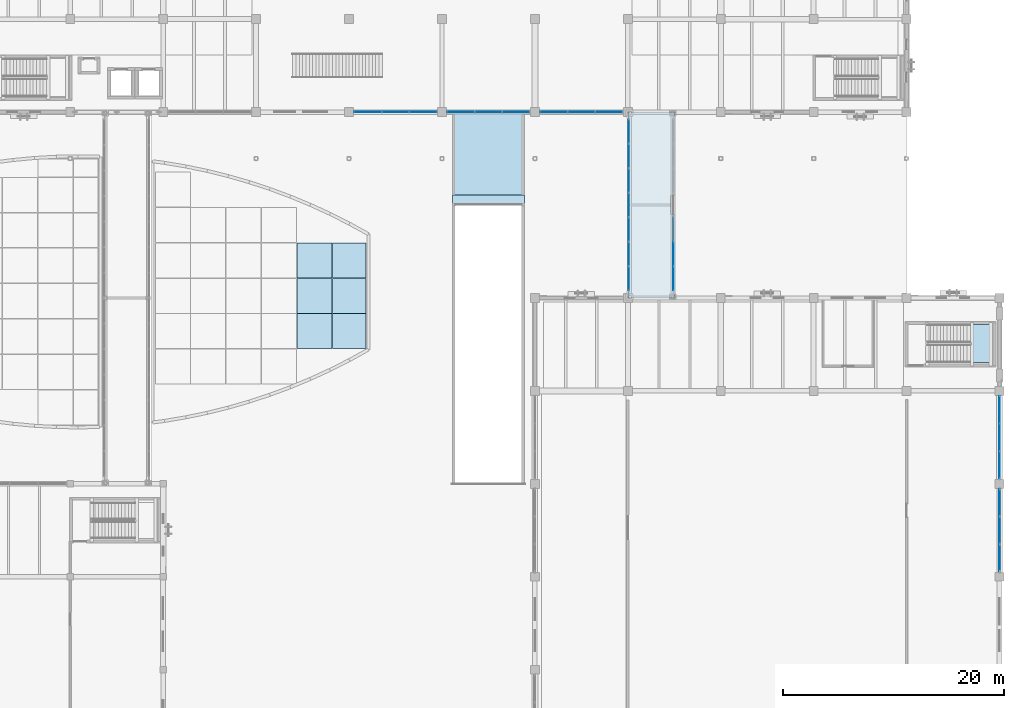
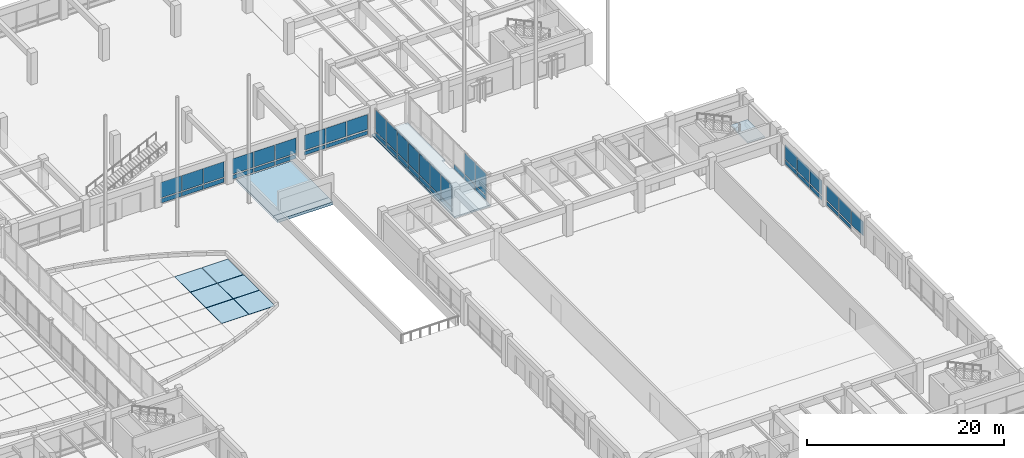
# One storey, part 70 of 135: 54 plates, 4 slabs, 8 elements without a shape of their own.
"""IFC4 building model written with IfcOpenShell, lengths in metres."""

from ifc_helpers import new_model, si_unit, direction, frame, origin, origin_2d, place, context, subcontext, project, spatial, polyline, rectangle, outline, extrude, material, layer, layer_set, type_object, element, aggregate, save


model = new_model("IFC4")

# Units and contexts
model_context = context("Model", 3, precision=1e-05, world=origin(), true_north=direction((0.0, 1.0)))
body_context = subcontext(model_context, "Body", "Model", "MODEL_VIEW")
ifc_project = project(units=[si_unit("LENGTHUNIT", "METRE"), si_unit("AREAUNIT", "SQUARE_METRE"), si_unit("VOLUMEUNIT", "CUBIC_METRE"), si_unit("PLANEANGLEUNIT", "RADIAN"), si_unit("MASSUNIT", "GRAM", prefix="KILO")], contexts=[model_context])

# Site, building, storey
site_placement = place(None, origin())
site = spatial("IfcSite", under=ifc_project, at=site_placement, CompositionType="ELEMENT")
building_placement = place(site_placement, origin())
building = spatial("IfcBuilding", under=site, at=building_placement, Name="Cumbredor Promenade Congress Hotel", CompositionType="ELEMENT")
storey_placement = place(building_placement, origin())
storey = spatial("IfcBuildingStorey", under=building, at=storey_placement, Name="L00", CompositionType="ELEMENT", Elevation=0.0)

# Stair, slab
ifc_material_1 = material(Name="Concrete C40/50", Category="concrete")
stair_type = type_object("IfcStairType", Name="Protected Dog-Leg Exit Stair ST-T3 1650mm", PredefinedType="HALF_TURN_STAIR", material=ifc_material_1)
stair_placement = place(storey_placement, origin())
stair = element("IfcStair", 1, at=stair_placement, inside=storey, type_object=stair_type, Name="L00 Protected Exit Stair ST-10", PredefinedType="HALF_TURN_STAIR")
ifc_layer_1 = layer(ifc_material_1, 0.199951171875, Name="Concrete C40/50", Category="concrete")
ifc_layer_set_1 = layer_set([ifc_layer_1], Name="Concrete C40/50")
slab_type_1 = type_object("IfcSlabType", Name="Concrete Stair Landing Slab 200mm", PredefinedType="LANDING", material=ifc_layer_set_1)
slab_1_placement = place(storey_placement, frame((0.0, 0.0, 1.760009765625)))
slab_1 = element("IfcSlab", 2, at=slab_1_placement, type_object=slab_type_1, Name="ST-10 landing 1", PredefinedType="LANDING", context=body_context, shape_type="SweptSolid", body=[
    extrude(outline(polyline([(182.14990234375, 61.35009765625), (184.14990234375, 61.35009765625), (184.14990234375, 64.800048828125), (182.14990234375, 64.800048828125), (182.14990234375, 61.35009765625)])), origin(), (0.0, 0.0, 1.0), 0.199951171875),
])
aggregate(stair, [slab_1])

# Curtain wall, plates
ifc_material_2 = material(Name="Thermally broken anodized aluminium and low-E glass", Category="aluminium")
curtain_wall_type_1 = type_object("IfcCurtainWallType", Name="Unitised Bridge Glazing Screen CW-05", PredefinedType="NOTDEFINED", material=ifc_material_2)
curtain_wall_1_placement = place(storey_placement, origin())
curtain_wall_1 = element("IfcCurtainWall", 3, at=curtain_wall_1_placement, inside=storey, type_object=curtain_wall_type_1, Name="L00 East Ballroom-to-Forum Glazed Bridge West Glazing Screen", PredefinedType="NOTDEFINED")
ifc_material_3 = material(Name="Laminated low-E solar-control glass", Category="glass")
ifc_layer_2 = layer(ifc_material_3, 0.030029296875, Name="Laminated low-E solar-control glass", Category="glass")
ifc_layer_set_2 = layer_set([ifc_layer_2], Name="Laminated low-E solar-control glass")
plate_type_1 = type_object("IfcPlateType", Name="Glazed Bridge Panel PNL-04", PredefinedType="CURTAIN_PANEL", material=ifc_layer_set_2)
plate_1_placement = place(storey_placement, frame((151.280029296875, 68.9658203125, 0.78515625), z_axis=(0.0, 0.0, 1.0), x_axis=(0.0, 1.0, 0.0)))
plate_1 = element("IfcPlate", 4, at=plate_1_placement, type_object=plate_type_1, Name="L00 East Ballroom-to-Forum Glazed Bridge West Glazing Screen Glazing Panel 1.2", PredefinedType="CURTAIN_PANEL", context=body_context, shape_type="SweptSolid", body=[
    extrude(rectangle(XDim=2.146484375, YDim=0.030029296875, at=origin_2d()), origin(), (0.0, 0.0, 1.0), 2.6298828125),
])
plate_2_placement = place(storey_placement, frame((151.280029296875, 71.177001953125, 0.78515625), z_axis=(0.0, 0.0, 1.0), x_axis=(0.0, 1.0, 0.0)))
plate_2 = element("IfcPlate", 5, at=plate_2_placement, type_object=plate_type_1, Name="L00 East Ballroom-to-Forum Glazed Bridge West Glazing Screen Glazing Panel 2.2", PredefinedType="CURTAIN_PANEL", context=body_context, shape_type="SweptSolid", body=[
    extrude(rectangle(XDim=2.146484375, YDim=0.030029296875, at=origin_2d()), origin(), (0.0, 0.0, 1.0), 2.6298828125),
])
plate_3_placement = place(storey_placement, frame((151.280029296875, 73.388671875, 0.78515625), z_axis=(0.0, 0.0, 1.0), x_axis=(0.0, 1.0, 0.0)))
plate_3 = element("IfcPlate", 6, at=plate_3_placement, type_object=plate_type_1, Name="L00 East Ballroom-to-Forum Glazed Bridge West Glazing Screen Glazing Panel 3.2", PredefinedType="CURTAIN_PANEL", context=body_context, shape_type="SweptSolid", body=[
    extrude(rectangle(XDim=2.146484375, YDim=0.030029296875, at=origin_2d()), origin(), (0.0, 0.0, 1.0), 2.6298828125),
])
plate_4_placement = place(storey_placement, frame((151.280029296875, 75.60009765625, 0.78515625), z_axis=(0.0, 0.0, 1.0), x_axis=(0.0, 1.0, 0.0)))
plate_4 = element("IfcPlate", 7, at=plate_4_placement, type_object=plate_type_1, Name="L00 East Ballroom-to-Forum Glazed Bridge West Glazing Screen Glazing Panel 4.2", PredefinedType="CURTAIN_PANEL", context=body_context, shape_type="SweptSolid", body=[
    extrude(rectangle(XDim=2.146484375, YDim=0.030029296875, at=origin_2d()), origin(), (0.0, 0.0, 1.0), 2.6298828125),
])
plate_5_placement = place(storey_placement, frame((151.280029296875, 77.811279296875, 0.78515625), z_axis=(0.0, 0.0, 1.0), x_axis=(0.0, 1.0, 0.0)))
plate_5 = element("IfcPlate", 8, at=plate_5_placement, type_object=plate_type_1, Name="L00 East Ballroom-to-Forum Glazed Bridge West Glazing Screen Glazing Panel 5.2", PredefinedType="CURTAIN_PANEL", context=body_context, shape_type="SweptSolid", body=[
    extrude(rectangle(XDim=2.146484375, YDim=0.030029296875, at=origin_2d()), origin(), (0.0, 0.0, 1.0), 2.6298828125),
])
plate_6_placement = place(storey_placement, frame((151.280029296875, 80.02294921875, 0.78515625), z_axis=(0.0, 0.0, 1.0), x_axis=(0.0, 1.0, 0.0)))
plate_6 = element("IfcPlate", 9, at=plate_6_placement, type_object=plate_type_1, Name="L00 East Ballroom-to-Forum Glazed Bridge West Glazing Screen Glazing Panel 6.2", PredefinedType="CURTAIN_PANEL", context=body_context, shape_type="SweptSolid", body=[
    extrude(rectangle(XDim=2.146484375, YDim=0.030029296875, at=origin_2d()), origin(), (0.0, 0.0, 1.0), 2.6298828125),
])
plate_7_placement = place(storey_placement, frame((151.280029296875, 82.234375, 0.78515625), z_axis=(0.0, 0.0, 1.0), x_axis=(0.0, 1.0, 0.0)))
plate_7 = element("IfcPlate", 10, at=plate_7_placement, type_object=plate_type_1, Name="L00 East Ballroom-to-Forum Glazed Bridge West Glazing Screen Glazing Panel 7.2", PredefinedType="CURTAIN_PANEL", context=body_context, shape_type="SweptSolid", body=[
    extrude(rectangle(XDim=2.146484375, YDim=0.030029296875, at=origin_2d()), origin(), (0.0, 0.0, 1.0), 2.6298828125),
])

curtain_wall_2_placement = place(storey_placement, origin())
curtain_wall_2 = element("IfcCurtainWall", 11, at=curtain_wall_2_placement, inside=storey, type_object=curtain_wall_type_1, Name="L00 East Ballroom-to-Forum Glazed Bridge East Glazing Screen", PredefinedType="NOTDEFINED")
plate_8_placement = place(storey_placement, frame((155.320068359375, 68.9658203125, 0.78515625), z_axis=(0.0, 0.0, 1.0), x_axis=(0.0, 1.0, 0.0)))
plate_8 = element("IfcPlate", 12, at=plate_8_placement, type_object=plate_type_1, Name="L00 East Ballroom-to-Forum Glazed Bridge East Glazing Screen Glazing Panel 1.2", PredefinedType="CURTAIN_PANEL", context=body_context, shape_type="SweptSolid", body=[
    extrude(rectangle(XDim=2.146484375, YDim=0.030029296875, at=origin_2d()), origin(), (0.0, 0.0, 1.0), 2.6298828125),
])
plate_9_placement = place(storey_placement, frame((155.320068359375, 71.177001953125, 0.78515625), z_axis=(0.0, 0.0, 1.0), x_axis=(0.0, 1.0, 0.0)))
plate_9 = element("IfcPlate", 13, at=plate_9_placement, type_object=plate_type_1, Name="L00 East Ballroom-to-Forum Glazed Bridge East Glazing Screen Glazing Panel 2.2", PredefinedType="CURTAIN_PANEL", context=body_context, shape_type="SweptSolid", body=[
    extrude(rectangle(XDim=2.146484375, YDim=0.030029296875, at=origin_2d()), origin(), (0.0, 0.0, 1.0), 2.6298828125),
])

curtain_wall_type_2 = type_object("IfcCurtainWallType", Name="Unitised Grand Foyer Curtain Wall CW-04", PredefinedType="NOTDEFINED", material=ifc_material_2)
curtain_wall_3_placement = place(storey_placement, origin())
curtain_wall_3 = element("IfcCurtainWall", 14, at=curtain_wall_3_placement, inside=storey, type_object=curtain_wall_type_2, Name="L00 Grand Ballroom Pavilion East Curtain Wall 6", PredefinedType="NOTDEFINED")
ifc_layer_3 = layer(ifc_material_3, 0.028076171875, Name="Laminated low-E solar-control glass", Category="glass")
ifc_layer_set_3 = layer_set([ifc_layer_3], Name="Laminated low-E solar-control glass")
plate_type_2 = type_object("IfcPlateType", Name="Glazed Vision Panel PNL-01", PredefinedType="CURTAIN_PANEL", material=ifc_layer_set_3)
plate_10_placement = place(storey_placement, frame((184.800048828125, 52.103515625, 0.78515625), z_axis=(0.0, 0.0, 1.0), x_axis=(0.0, 1.0, 0.0)))
plate_10 = element("IfcPlate", 15, at=plate_10_placement, type_object=plate_type_2, Name="L00 Grand Ballroom Pavilion East Curtain Wall 6 Glazing Panel 1.2", PredefinedType="CURTAIN_PANEL", context=body_context, shape_type="SweptSolid", body=[
    extrude(rectangle(XDim=2.431640625, YDim=0.028076171875, at=origin_2d()), origin(), (0.0, 0.0, 1.0), 1.760009765625),
])
plate_11_placement = place(storey_placement, frame((184.800048828125, 54.60009765625, 0.78515625), z_axis=(0.0, 0.0, 1.0), x_axis=(0.0, 1.0, 0.0)))
plate_11 = element("IfcPlate", 16, at=plate_11_placement, type_object=plate_type_2, Name="L00 Grand Ballroom Pavilion East Curtain Wall 6 Glazing Panel 2.2", PredefinedType="CURTAIN_PANEL", context=body_context, shape_type="SweptSolid", body=[
    extrude(rectangle(XDim=2.431640625, YDim=0.028076171875, at=origin_2d()), origin(), (0.0, 0.0, 1.0), 1.760009765625),
])
plate_12_placement = place(storey_placement, frame((184.800048828125, 57.0966796875, 0.78515625), z_axis=(0.0, 0.0, 1.0), x_axis=(0.0, 1.0, 0.0)))
plate_12 = element("IfcPlate", 17, at=plate_12_placement, type_object=plate_type_2, Name="L00 Grand Ballroom Pavilion East Curtain Wall 6 Glazing Panel 3.2", PredefinedType="CURTAIN_PANEL", context=body_context, shape_type="SweptSolid", body=[
    extrude(rectangle(XDim=2.431640625, YDim=0.028076171875, at=origin_2d()), origin(), (0.0, 0.0, 1.0), 1.760009765625),
])

curtain_wall_4_placement = place(storey_placement, origin())
curtain_wall_4 = element("IfcCurtainWall", 18, at=curtain_wall_4_placement, inside=storey, type_object=curtain_wall_type_2, Name="L00 Pre-Function and Breakout Meeting Forum South Curtain Wall 5", PredefinedType="NOTDEFINED")
plate_13_placement = place(storey_placement, frame((127.703369140625, 84.0, 0.78515625), z_axis=(0.0, 0.0, 1.0), x_axis=(1.0, 0.0, 0.0)))
plate_13 = element("IfcPlate", 19, at=plate_13_placement, type_object=plate_type_2, Name="L00 Pre-Function and Breakout Meeting Forum South Curtain Wall 5 Glazing Panel 1.2", PredefinedType="CURTAIN_PANEL", context=body_context, shape_type="SweptSolid", body=[
    extrude(rectangle(XDim=2.431640625, YDim=0.028076171875, at=origin_2d()), origin(), (0.0, 0.0, 1.0), 1.909912109375),
])
plate_14_placement = place(storey_placement, frame((130.199951171875, 84.0, 0.78515625), z_axis=(0.0, 0.0, 1.0), x_axis=(1.0, 0.0, 0.0)))
plate_14 = element("IfcPlate", 20, at=plate_14_placement, type_object=plate_type_2, Name="L00 Pre-Function and Breakout Meeting Forum South Curtain Wall 5 Glazing Panel 2.2", PredefinedType="CURTAIN_PANEL", context=body_context, shape_type="SweptSolid", body=[
    extrude(rectangle(XDim=2.431640625, YDim=0.028076171875, at=origin_2d()), origin(), (0.0, 0.0, 1.0), 1.909912109375),
])
plate_15_placement = place(storey_placement, frame((132.696533203125, 84.0, 0.78515625), z_axis=(0.0, 0.0, 1.0), x_axis=(1.0, 0.0, 0.0)))
plate_15 = element("IfcPlate", 21, at=plate_15_placement, type_object=plate_type_2, Name="L00 Pre-Function and Breakout Meeting Forum South Curtain Wall 5 Glazing Panel 3.2", PredefinedType="CURTAIN_PANEL", context=body_context, shape_type="SweptSolid", body=[
    extrude(rectangle(XDim=2.431640625, YDim=0.028076171875, at=origin_2d()), origin(), (0.0, 0.0, 1.0), 1.909912109375),
])

curtain_wall_5_placement = place(storey_placement, origin())
curtain_wall_5 = element("IfcCurtainWall", 22, at=curtain_wall_5_placement, inside=storey, type_object=curtain_wall_type_2, Name="L00 Pre-Function and Breakout Meeting Forum South Curtain Wall 6", PredefinedType="NOTDEFINED")
ifc_layer_4 = layer(ifc_material_3, 0.031982421875, Name="Laminated low-E solar-control glass", Category="glass")
ifc_layer_set_4 = layer_set([ifc_layer_4], Name="Laminated low-E solar-control glass")
plate_type_3 = type_object("IfcPlateType", Name="Glazed Vision Panel PNL-02", PredefinedType="CURTAIN_PANEL", material=ifc_layer_set_4)
plate_16_placement = place(storey_placement, frame((136.103515625, 84.0, 0.795166015625), z_axis=(0.0, 0.0, 1.0), x_axis=(1.0, 0.0, 0.0)))
plate_16 = element("IfcPlate", 23, at=plate_16_placement, type_object=plate_type_3, Name="L00 Pre-Function and Breakout Meeting Forum South Curtain Wall 6 Glazing Panel 1.2", PredefinedType="CURTAIN_PANEL", context=body_context, shape_type="SweptSolid", body=[
    extrude(rectangle(XDim=2.421630859375, YDim=0.031982421875, at=origin_2d()), origin(), (0.0, 0.0, 1.0), 1.8798828125),
])
plate_17_placement = place(storey_placement, frame((138.60009765625, 84.0, 0.795166015625), z_axis=(0.0, 0.0, 1.0), x_axis=(1.0, 0.0, 0.0)))
plate_17 = element("IfcPlate", 24, at=plate_17_placement, type_object=plate_type_3, Name="L00 Pre-Function and Breakout Meeting Forum South Curtain Wall 6 Glazing Panel 2.2", PredefinedType="CURTAIN_PANEL", context=body_context, shape_type="SweptSolid", body=[
    extrude(rectangle(XDim=2.421630859375, YDim=0.031982421875, at=origin_2d()), origin(), (0.0, 0.0, 1.0), 1.8798828125),
])
plate_18_placement = place(storey_placement, frame((141.0966796875, 84.0, 0.795166015625), z_axis=(0.0, 0.0, 1.0), x_axis=(1.0, 0.0, 0.0)))
plate_18 = element("IfcPlate", 25, at=plate_18_placement, type_object=plate_type_3, Name="L00 Pre-Function and Breakout Meeting Forum South Curtain Wall 6 Glazing Panel 3.2", PredefinedType="CURTAIN_PANEL", context=body_context, shape_type="SweptSolid", body=[
    extrude(rectangle(XDim=2.421630859375, YDim=0.031982421875, at=origin_2d()), origin(), (0.0, 0.0, 1.0), 1.8798828125),
])

curtain_wall_6_placement = place(storey_placement, origin())
curtain_wall_6 = element("IfcCurtainWall", 26, at=curtain_wall_6_placement, inside=storey, type_object=curtain_wall_type_2, Name="L00 Grand Ballroom Pavilion East Curtain Wall 5", PredefinedType="NOTDEFINED")
ifc_layer_5 = layer(ifc_material_3, 0.028076171875, Name="Laminated low-E solar-control glass", Category="glass")
ifc_layer_set_5 = layer_set([ifc_layer_5], Name="Laminated low-E solar-control glass")
plate_type_4 = type_object("IfcPlateType", Name="Glazed Vision Panel PNL-03", PredefinedType="CURTAIN_PANEL", material=ifc_layer_set_5)
plate_19_placement = place(storey_placement, frame((184.800048828125, 43.703369140625, 0.81005859375), z_axis=(0.0, 0.0, 1.0), x_axis=(0.0, 1.0, 0.0)))
plate_19 = element("IfcPlate", 27, at=plate_19_placement, type_object=plate_type_4, Name="L00 Grand Ballroom Pavilion East Curtain Wall 5 Glazing Panel 1.2", PredefinedType="CURTAIN_PANEL", context=body_context, shape_type="SweptSolid", body=[
    extrude(rectangle(XDim=2.416748046875, YDim=0.028076171875, at=origin_2d()), origin(), (0.0, 0.0, 1.0), 1.7900390625),
])
plate_20_placement = place(storey_placement, frame((184.800048828125, 46.199951171875, 0.81005859375), z_axis=(0.0, 0.0, 1.0), x_axis=(0.0, 1.0, 0.0)))
plate_20 = element("IfcPlate", 28, at=plate_20_placement, type_object=plate_type_4, Name="L00 Grand Ballroom Pavilion East Curtain Wall 5 Glazing Panel 2.2", PredefinedType="CURTAIN_PANEL", context=body_context, shape_type="SweptSolid", body=[
    extrude(rectangle(XDim=2.41650390625, YDim=0.028076171875, at=origin_2d()), origin(), (0.0, 0.0, 1.0), 1.7900390625),
])
plate_21_placement = place(storey_placement, frame((184.800048828125, 48.69677734375, 0.81005859375), z_axis=(0.0, 0.0, 1.0), x_axis=(0.0, 1.0, 0.0)))
plate_21 = element("IfcPlate", 29, at=plate_21_placement, type_object=plate_type_4, Name="L00 Grand Ballroom Pavilion East Curtain Wall 5 Glazing Panel 3.2", PredefinedType="CURTAIN_PANEL", context=body_context, shape_type="SweptSolid", body=[
    extrude(rectangle(XDim=2.416748046875, YDim=0.028076171875, at=origin_2d()), origin(), (0.0, 0.0, 1.0), 1.7900390625),
])

curtain_wall_7_placement = place(storey_placement, origin())
curtain_wall_7 = element("IfcCurtainWall", 30, at=curtain_wall_7_placement, inside=storey, type_object=curtain_wall_type_2, Name="L00 Pre-Function and Breakout Meeting Forum South Curtain Wall 7", PredefinedType="NOTDEFINED")
plate_22_placement = place(storey_placement, frame((144.50341796875, 84.0, 0.81005859375), z_axis=(0.0, 0.0, 1.0), x_axis=(1.0, 0.0, 0.0)))
plate_22 = element("IfcPlate", 31, at=plate_22_placement, type_object=plate_type_4, Name="L00 Pre-Function and Breakout Meeting Forum South Curtain Wall 7 Glazing Panel 1.2", PredefinedType="CURTAIN_PANEL", context=body_context, shape_type="SweptSolid", body=[
    extrude(rectangle(XDim=2.416748046875, YDim=0.028076171875, at=origin_2d()), origin(), (0.0, 0.0, 1.0), 1.840087890625),
])
plate_23_placement = place(storey_placement, frame((147.0, 84.0, 0.81005859375), z_axis=(0.0, 0.0, 1.0), x_axis=(1.0, 0.0, 0.0)))
plate_23 = element("IfcPlate", 32, at=plate_23_placement, type_object=plate_type_4, Name="L00 Pre-Function and Breakout Meeting Forum South Curtain Wall 7 Glazing Panel 2.2", PredefinedType="CURTAIN_PANEL", context=body_context, shape_type="SweptSolid", body=[
    extrude(rectangle(XDim=2.41650390625, YDim=0.028076171875, at=origin_2d()), origin(), (0.0, 0.0, 1.0), 1.840087890625),
])
plate_24_placement = place(storey_placement, frame((149.49658203125, 84.0, 0.81005859375), z_axis=(0.0, 0.0, 1.0), x_axis=(1.0, 0.0, 0.0)))
plate_24 = element("IfcPlate", 33, at=plate_24_placement, type_object=plate_type_4, Name="L00 Pre-Function and Breakout Meeting Forum South Curtain Wall 7 Glazing Panel 3.2", PredefinedType="CURTAIN_PANEL", context=body_context, shape_type="SweptSolid", body=[
    extrude(rectangle(XDim=2.416748046875, YDim=0.028076171875, at=origin_2d()), origin(), (0.0, 0.0, 1.0), 1.840087890625),
])

# Slab
ifc_layer_6 = layer(ifc_material_1, 0.35009765625, Name="Concrete C40/50", Category="concrete")
ifc_layer_set_6 = layer_set([ifc_layer_6], Name="Concrete C40/50")
slab_type_2 = type_object("IfcSlabType", Name="Ground Floor Slab 350mm", PredefinedType="FLOOR", material=ifc_layer_set_6)
slab_2_placement = place(storey_placement, frame((0.0, 0.0, -0.35009765625)))
element("IfcSlab", 34, at=slab_2_placement, inside=storey, type_object=slab_type_2, Name="Car Park Vehicle Ramp R1 Top Threshold Slab", PredefinedType="FLOOR", context=body_context, shape_type="SweptSolid", body=[
    extrude(outline(polyline([(135.35009765625, 75.64990234375), (141.85009765625, 75.64990234375), (141.85009765625, 76.5), (135.35009765625, 76.5), (135.35009765625, 75.64990234375)])), origin(), (0.0, 0.0, 1.0), 0.35009765625),
])

# Plate
ifc_material_4 = material(Name="Thermally broken anodized aluminium", Category="aluminium")
ifc_layer_7 = layer(ifc_material_4, 0.0400390625, Name="Thermally broken anodized aluminium", Category="aluminium")
ifc_layer_set_7 = layer_set([ifc_layer_7], Name="Thermally broken anodized aluminium")
plate_type_5 = type_object("IfcPlateType", Name="Insulated Spandrel Panel PNL-05", PredefinedType="CURTAIN_PANEL", material=ifc_layer_set_7)
plate_25_placement = place(storey_placement, frame((184.800048828125, 46.199951171875, 0.18017578125), z_axis=(0.0, 0.0, 1.0), x_axis=(0.0, 1.0, 0.0)))
plate_25 = element("IfcPlate", 35, at=plate_25_placement, type_object=plate_type_5, Name="L00 Grand Ballroom Pavilion East Curtain Wall 5 Spandrel Panel 2.1", PredefinedType="CURTAIN_PANEL", context=body_context, shape_type="SweptSolid", body=[
    extrude(rectangle(XDim=2.41650390625, YDim=0.0400390625, at=origin_2d()), origin(), (0.0, 0.0, 1.0), 0.449951171875),
])

plate_26_placement = place(storey_placement, frame((184.800048828125, 48.69677734375, 0.18017578125), z_axis=(0.0, 0.0, 1.0), x_axis=(0.0, 1.0, 0.0)))
plate_26 = element("IfcPlate", 36, at=plate_26_placement, type_object=plate_type_5, Name="L00 Grand Ballroom Pavilion East Curtain Wall 5 Spandrel Panel 3.1", PredefinedType="CURTAIN_PANEL", context=body_context, shape_type="SweptSolid", body=[
    extrude(rectangle(XDim=2.416748046875, YDim=0.0400390625, at=origin_2d()), origin(), (0.0, 0.0, 1.0), 0.449951171875),
])

aggregate(curtain_wall_6, [plate_19, plate_25, plate_20, plate_26, plate_21])

plate_27_placement = place(storey_placement, frame((127.703369140625, 84.0, 0.135009765625), z_axis=(0.0, 0.0, 1.0), x_axis=(1.0, 0.0, 0.0)))
plate_27 = element("IfcPlate", 37, at=plate_27_placement, type_object=plate_type_5, Name="L00 Pre-Function and Breakout Meeting Forum South Curtain Wall 5 Spandrel Panel 1.1", PredefinedType="CURTAIN_PANEL", context=body_context, shape_type="SweptSolid", body=[
    extrude(rectangle(XDim=2.431640625, YDim=0.0400390625, at=origin_2d()), origin(), (0.0, 0.0, 1.0), 0.52001953125),
])

plate_28_placement = place(storey_placement, frame((130.199951171875, 84.0, 0.135009765625), z_axis=(0.0, 0.0, 1.0), x_axis=(1.0, 0.0, 0.0)))
plate_28 = element("IfcPlate", 38, at=plate_28_placement, type_object=plate_type_5, Name="L00 Pre-Function and Breakout Meeting Forum South Curtain Wall 5 Spandrel Panel 2.1", PredefinedType="CURTAIN_PANEL", context=body_context, shape_type="SweptSolid", body=[
    extrude(rectangle(XDim=2.431640625, YDim=0.0400390625, at=origin_2d()), origin(), (0.0, 0.0, 1.0), 0.52001953125),
])

plate_29_placement = place(storey_placement, frame((132.696533203125, 84.0, 0.135009765625), z_axis=(0.0, 0.0, 1.0), x_axis=(1.0, 0.0, 0.0)))
plate_29 = element("IfcPlate", 39, at=plate_29_placement, type_object=plate_type_5, Name="L00 Pre-Function and Breakout Meeting Forum South Curtain Wall 5 Spandrel Panel 3.1", PredefinedType="CURTAIN_PANEL", context=body_context, shape_type="SweptSolid", body=[
    extrude(rectangle(XDim=2.431640625, YDim=0.0400390625, at=origin_2d()), origin(), (0.0, 0.0, 1.0), 0.52001953125),
])

aggregate(curtain_wall_4, [plate_27, plate_13, plate_28, plate_14, plate_29, plate_15])

plate_30_placement = place(storey_placement, frame((144.50341796875, 84.0, 0.18017578125), z_axis=(0.0, 0.0, 1.0), x_axis=(1.0, 0.0, 0.0)))
plate_30 = element("IfcPlate", 40, at=plate_30_placement, type_object=plate_type_5, Name="L00 Pre-Function and Breakout Meeting Forum South Curtain Wall 7 Spandrel Panel 1.1", PredefinedType="CURTAIN_PANEL", context=body_context, shape_type="SweptSolid", body=[
    extrude(rectangle(XDim=2.416748046875, YDim=0.0400390625, at=origin_2d()), origin(), (0.0, 0.0, 1.0), 0.449951171875),
])

plate_31_placement = place(storey_placement, frame((147.0, 84.0, 0.18017578125), z_axis=(0.0, 0.0, 1.0), x_axis=(1.0, 0.0, 0.0)))
plate_31 = element("IfcPlate", 41, at=plate_31_placement, type_object=plate_type_5, Name="L00 Pre-Function and Breakout Meeting Forum South Curtain Wall 7 Spandrel Panel 2.1", PredefinedType="CURTAIN_PANEL", context=body_context, shape_type="SweptSolid", body=[
    extrude(rectangle(XDim=2.41650390625, YDim=0.0400390625, at=origin_2d()), origin(), (0.0, 0.0, 1.0), 0.449951171875),
])

plate_32_placement = place(storey_placement, frame((149.49658203125, 84.0, 0.18017578125), z_axis=(0.0, 0.0, 1.0), x_axis=(1.0, 0.0, 0.0)))
plate_32 = element("IfcPlate", 42, at=plate_32_placement, type_object=plate_type_5, Name="L00 Pre-Function and Breakout Meeting Forum South Curtain Wall 7 Spandrel Panel 3.1", PredefinedType="CURTAIN_PANEL", context=body_context, shape_type="SweptSolid", body=[
    extrude(rectangle(XDim=2.416748046875, YDim=0.0400390625, at=origin_2d()), origin(), (0.0, 0.0, 1.0), 0.449951171875),
])

aggregate(curtain_wall_7, [plate_30, plate_22, plate_31, plate_23, plate_32, plate_24])

ifc_layer_8 = layer(ifc_material_4, 0.0400390625, Name="Thermally broken anodized aluminium", Category="aluminium")
ifc_layer_set_8 = layer_set([ifc_layer_8], Name="Thermally broken anodized aluminium")
plate_type_6 = type_object("IfcPlateType", Name="Insulated Spandrel Panel PNL-06", PredefinedType="CURTAIN_PANEL", material=ifc_layer_set_8)
plate_33_placement = place(storey_placement, frame((184.800048828125, 52.103515625, 0.135009765625), z_axis=(0.0, 0.0, 1.0), x_axis=(0.0, 1.0, 0.0)))
plate_33 = element("IfcPlate", 43, at=plate_33_placement, type_object=plate_type_6, Name="L00 Grand Ballroom Pavilion East Curtain Wall 6 Spandrel Panel 1.1", PredefinedType="CURTAIN_PANEL", context=body_context, shape_type="SweptSolid", body=[
    extrude(rectangle(XDim=2.431640625, YDim=0.0400390625, at=origin_2d()), origin(), (0.0, 0.0, 1.0), 0.52001953125),
])

plate_34_placement = place(storey_placement, frame((184.800048828125, 54.60009765625, 0.135009765625), z_axis=(0.0, 0.0, 1.0), x_axis=(0.0, 1.0, 0.0)))
plate_34 = element("IfcPlate", 44, at=plate_34_placement, type_object=plate_type_6, Name="L00 Grand Ballroom Pavilion East Curtain Wall 6 Spandrel Panel 2.1", PredefinedType="CURTAIN_PANEL", context=body_context, shape_type="SweptSolid", body=[
    extrude(rectangle(XDim=2.431640625, YDim=0.0400390625, at=origin_2d()), origin(), (0.0, 0.0, 1.0), 0.52001953125),
])

plate_35_placement = place(storey_placement, frame((184.800048828125, 57.0966796875, 0.135009765625), z_axis=(0.0, 0.0, 1.0), x_axis=(0.0, 1.0, 0.0)))
plate_35 = element("IfcPlate", 45, at=plate_35_placement, type_object=plate_type_6, Name="L00 Grand Ballroom Pavilion East Curtain Wall 6 Spandrel Panel 3.1", PredefinedType="CURTAIN_PANEL", context=body_context, shape_type="SweptSolid", body=[
    extrude(rectangle(XDim=2.431640625, YDim=0.0400390625, at=origin_2d()), origin(), (0.0, 0.0, 1.0), 0.52001953125),
])

aggregate(curtain_wall_3, [plate_33, plate_10, plate_34, plate_11, plate_35, plate_12])

plate_36_placement = place(storey_placement, frame((136.103515625, 84.0, 0.14501953125), z_axis=(0.0, 0.0, 1.0), x_axis=(1.0, 0.0, 0.0)))
plate_36 = element("IfcPlate", 46, at=plate_36_placement, type_object=plate_type_6, Name="L00 Pre-Function and Breakout Meeting Forum South Curtain Wall 6 Spandrel Panel 1.1", PredefinedType="CURTAIN_PANEL", context=body_context, shape_type="SweptSolid", body=[
    extrude(rectangle(XDim=2.421630859375, YDim=0.0400390625, at=origin_2d()), origin(), (0.0, 0.0, 1.0), 0.5),
])

plate_37_placement = place(storey_placement, frame((138.60009765625, 84.0, 0.14501953125), z_axis=(0.0, 0.0, 1.0), x_axis=(1.0, 0.0, 0.0)))
plate_37 = element("IfcPlate", 47, at=plate_37_placement, type_object=plate_type_6, Name="L00 Pre-Function and Breakout Meeting Forum South Curtain Wall 6 Spandrel Panel 2.1", PredefinedType="CURTAIN_PANEL", context=body_context, shape_type="SweptSolid", body=[
    extrude(rectangle(XDim=2.421630859375, YDim=0.0400390625, at=origin_2d()), origin(), (0.0, 0.0, 1.0), 0.5),
])

plate_38_placement = place(storey_placement, frame((141.0966796875, 84.0, 0.14501953125), z_axis=(0.0, 0.0, 1.0), x_axis=(1.0, 0.0, 0.0)))
plate_38 = element("IfcPlate", 48, at=plate_38_placement, type_object=plate_type_6, Name="L00 Pre-Function and Breakout Meeting Forum South Curtain Wall 6 Spandrel Panel 3.1", PredefinedType="CURTAIN_PANEL", context=body_context, shape_type="SweptSolid", body=[
    extrude(rectangle(XDim=2.421630859375, YDim=0.0400390625, at=origin_2d()), origin(), (0.0, 0.0, 1.0), 0.5),
])

aggregate(curtain_wall_5, [plate_36, plate_16, plate_37, plate_17, plate_38, plate_18])

plate_39_placement = place(storey_placement, frame((151.280029296875, 68.9658203125, 0.135009765625), z_axis=(0.0, 0.0, 1.0), x_axis=(0.0, 1.0, 0.0)))
plate_39 = element("IfcPlate", 49, at=plate_39_placement, type_object=plate_type_6, Name="L00 East Ballroom-to-Forum Glazed Bridge West Glazing Screen Spandrel Panel 1.1", PredefinedType="CURTAIN_PANEL", context=body_context, shape_type="SweptSolid", body=[
    extrude(rectangle(XDim=2.146484375, YDim=0.0400390625, at=origin_2d()), origin(), (0.0, 0.0, 1.0), 0.52001953125),
])

plate_40_placement = place(storey_placement, frame((151.280029296875, 71.177001953125, 0.135009765625), z_axis=(0.0, 0.0, 1.0), x_axis=(0.0, 1.0, 0.0)))
plate_40 = element("IfcPlate", 50, at=plate_40_placement, type_object=plate_type_6, Name="L00 East Ballroom-to-Forum Glazed Bridge West Glazing Screen Spandrel Panel 2.1", PredefinedType="CURTAIN_PANEL", context=body_context, shape_type="SweptSolid", body=[
    extrude(rectangle(XDim=2.146484375, YDim=0.0400390625, at=origin_2d()), origin(), (0.0, 0.0, 1.0), 0.52001953125),
])

plate_41_placement = place(storey_placement, frame((151.280029296875, 73.388671875, 0.135009765625), z_axis=(0.0, 0.0, 1.0), x_axis=(0.0, 1.0, 0.0)))
plate_41 = element("IfcPlate", 51, at=plate_41_placement, type_object=plate_type_6, Name="L00 East Ballroom-to-Forum Glazed Bridge West Glazing Screen Spandrel Panel 3.1", PredefinedType="CURTAIN_PANEL", context=body_context, shape_type="SweptSolid", body=[
    extrude(rectangle(XDim=2.146484375, YDim=0.0400390625, at=origin_2d()), origin(), (0.0, 0.0, 1.0), 0.52001953125),
])

plate_42_placement = place(storey_placement, frame((151.280029296875, 75.60009765625, 0.135009765625), z_axis=(0.0, 0.0, 1.0), x_axis=(0.0, 1.0, 0.0)))
plate_42 = element("IfcPlate", 52, at=plate_42_placement, type_object=plate_type_6, Name="L00 East Ballroom-to-Forum Glazed Bridge West Glazing Screen Spandrel Panel 4.1", PredefinedType="CURTAIN_PANEL", context=body_context, shape_type="SweptSolid", body=[
    extrude(rectangle(XDim=2.146484375, YDim=0.0400390625, at=origin_2d()), origin(), (0.0, 0.0, 1.0), 0.52001953125),
])

plate_43_placement = place(storey_placement, frame((151.280029296875, 77.811279296875, 0.135009765625), z_axis=(0.0, 0.0, 1.0), x_axis=(0.0, 1.0, 0.0)))
plate_43 = element("IfcPlate", 53, at=plate_43_placement, type_object=plate_type_6, Name="L00 East Ballroom-to-Forum Glazed Bridge West Glazing Screen Spandrel Panel 5.1", PredefinedType="CURTAIN_PANEL", context=body_context, shape_type="SweptSolid", body=[
    extrude(rectangle(XDim=2.146484375, YDim=0.0400390625, at=origin_2d()), origin(), (0.0, 0.0, 1.0), 0.52001953125),
])

plate_44_placement = place(storey_placement, frame((151.280029296875, 80.02294921875, 0.135009765625), z_axis=(0.0, 0.0, 1.0), x_axis=(0.0, 1.0, 0.0)))
plate_44 = element("IfcPlate", 54, at=plate_44_placement, type_object=plate_type_6, Name="L00 East Ballroom-to-Forum Glazed Bridge West Glazing Screen Spandrel Panel 6.1", PredefinedType="CURTAIN_PANEL", context=body_context, shape_type="SweptSolid", body=[
    extrude(rectangle(XDim=2.146484375, YDim=0.0400390625, at=origin_2d()), origin(), (0.0, 0.0, 1.0), 0.52001953125),
])

plate_45_placement = place(storey_placement, frame((151.280029296875, 82.234375, 0.135009765625), z_axis=(0.0, 0.0, 1.0), x_axis=(0.0, 1.0, 0.0)))
plate_45 = element("IfcPlate", 55, at=plate_45_placement, type_object=plate_type_6, Name="L00 East Ballroom-to-Forum Glazed Bridge West Glazing Screen Spandrel Panel 7.1", PredefinedType="CURTAIN_PANEL", context=body_context, shape_type="SweptSolid", body=[
    extrude(rectangle(XDim=2.146484375, YDim=0.0400390625, at=origin_2d()), origin(), (0.0, 0.0, 1.0), 0.52001953125),
])

aggregate(curtain_wall_1, [plate_39, plate_1, plate_40, plate_2, plate_41, plate_3, plate_42, plate_4, plate_43, plate_5, plate_44, plate_6, plate_45, plate_7])

plate_46_placement = place(storey_placement, frame((155.320068359375, 68.9658203125, 0.135009765625), z_axis=(0.0, 0.0, 1.0), x_axis=(0.0, 1.0, 0.0)))
plate_46 = element("IfcPlate", 56, at=plate_46_placement, type_object=plate_type_6, Name="L00 East Ballroom-to-Forum Glazed Bridge East Glazing Screen Spandrel Panel 1.1", PredefinedType="CURTAIN_PANEL", context=body_context, shape_type="SweptSolid", body=[
    extrude(rectangle(XDim=2.146484375, YDim=0.0400390625, at=origin_2d()), origin(), (0.0, 0.0, 1.0), 0.52001953125),
])

plate_47_placement = place(storey_placement, frame((155.320068359375, 71.177001953125, 0.135009765625), z_axis=(0.0, 0.0, 1.0), x_axis=(0.0, 1.0, 0.0)))
plate_47 = element("IfcPlate", 57, at=plate_47_placement, type_object=plate_type_6, Name="L00 East Ballroom-to-Forum Glazed Bridge East Glazing Screen Spandrel Panel 2.1", PredefinedType="CURTAIN_PANEL", context=body_context, shape_type="SweptSolid", body=[
    extrude(rectangle(XDim=2.146484375, YDim=0.0400390625, at=origin_2d()), origin(), (0.0, 0.0, 1.0), 0.52001953125),
])

plate_48_placement = place(storey_placement, frame((155.320068359375, 73.388671875, 0.135009765625), z_axis=(0.0, 0.0, 1.0), x_axis=(0.0, 1.0, 0.0)))
plate_48 = element("IfcPlate", 58, at=plate_48_placement, type_object=plate_type_6, Name="L00 East Ballroom-to-Forum Glazed Bridge East Glazing Screen Spandrel Panel 3.1", PredefinedType="CURTAIN_PANEL", context=body_context, shape_type="SweptSolid", body=[
    extrude(rectangle(XDim=2.146484375, YDim=0.0400390625, at=origin_2d()), origin(), (0.0, 0.0, 1.0), 0.52001953125),
])

aggregate(curtain_wall_2, [plate_46, plate_8, plate_47, plate_9, plate_48])

# Slabs
ifc_layer_9 = layer(ifc_material_1, 0.219970703125, Name="Concrete C40/50", Category="concrete")
ifc_layer_set_9 = layer_set([ifc_layer_9], Name="Concrete C40/50")
slab_type_3 = type_object("IfcSlabType", Name="Link Bridge Deck Slab 220mm", PredefinedType="FLOOR", material=ifc_layer_set_9)
slab_3_placement = place(storey_placement, frame((0.0, 0.0, -0.219970703125)))
element("IfcSlab", 59, at=slab_3_placement, inside=storey, type_object=slab_type_3, Name="L00 East Ballroom-to-Forum Glazed Bridge Floor Deck", PredefinedType="FLOOR", context=body_context, shape_type="SweptSolid", body=[
    extrude(outline(polyline([(151.199951171875, 67.199951171875), (155.39990234375, 67.199951171875), (155.39990234375, 74.800048828125), (155.050048828125, 74.800048828125), (155.050048828125, 76.39990234375), (155.39990234375, 76.39990234375), (155.39990234375, 84.0), (151.199951171875, 84.0), (151.199951171875, 67.199951171875)])), origin(), (0.0, 0.0, 1.0), 0.219970703125),
])
ifc_layer_10 = layer(ifc_material_1, 0.300048828125, Name="Concrete C40/50", Category="concrete")
ifc_layer_set_10 = layer_set([ifc_layer_10], Name="Concrete C40/50")
slab_type_4 = type_object("IfcSlabType", Name="Outdoor Promenade Terrace Slab 300mm", PredefinedType="FLOOR", material=ifc_layer_set_10)
slab_4_placement = place(storey_placement, frame((0.0, 0.0, -0.300048828125)))
element("IfcSlab", 60, at=slab_4_placement, inside=storey, type_object=slab_type_4, Name="L00 Vehicle Ramp Exterior Driveway Apron", PredefinedType="FLOOR", context=body_context, shape_type="SweptSolid", body=[
    extrude(outline(polyline([(135.35009765625, 76.5), (141.85009765625, 76.5), (141.85009765625, 84.0), (135.35009765625, 84.0), (135.35009765625, 76.5)])), origin(), (0.0, 0.0, 1.0), 0.300048828125),
])

# Plates
ifc_layer_11 = layer(ifc_material_3, 0.030029296875, Name="Laminated low-E solar-control glass", Category="glass")
ifc_layer_set_11 = layer_set([ifc_layer_11], Name="Laminated low-E solar-control glass")
plate_type_7 = type_object("IfcPlateType", Name="Reflecting Pool Water Mirror Panel WMP-01", PredefinedType="USERDEFINED", material=ifc_layer_set_11)
for number, where, z_axis, x_axis, name in (
    (61, (122.8701171875, 64.19580078125, 0.0), (0.0, 0.0, 1.0), (1.0, 0.0, 0.0), "Central Reflecting Pool Water Mirror 070"),
    (62, (122.8701171875, 67.395751953125, 0.0), (0.0, 0.0, 1.0), (1.0, 0.0, 0.0), "Central Reflecting Pool Water Mirror 071"),
    (63, (122.8701171875, 70.595703125, 0.0), (0.0, 0.0, 1.0), (1.0, 0.0, 0.0), "Central Reflecting Pool Water Mirror 072"),
):
    element("IfcPlate", number, at=place(storey_placement, frame(where, z_axis=z_axis, x_axis=x_axis)), inside=storey, type_object=plate_type_7, Name=name, ObjectType="WATER MIRROR PANEL", PredefinedType="USERDEFINED", context=body_context, shape_type="SweptSolid", body=[
        extrude(rectangle(XDim=3.159912109375, YDim=3.159912109375, at=origin_2d()), origin(), (0.0, 0.0, 1.0), 0.030029296875),
    ])
for number, where, z_axis, x_axis, name in (
    (64, (126.010009765625, 64.19580078125, 0.0), (0.0, 0.0, 1.0), (1.0, 0.0, 0.0), "Central Reflecting Pool Water Mirror 073"),
    (65, (126.010009765625, 67.395751953125, 0.0), (0.0, 0.0, 1.0), (1.0, 0.0, 0.0), "Central Reflecting Pool Water Mirror 074"),
    (66, (126.010009765625, 70.595703125, 0.0), (0.0, 0.0, 1.0), (1.0, 0.0, 0.0), "Central Reflecting Pool Water Mirror 075"),
):
    element("IfcPlate", number, at=place(storey_placement, frame(where, z_axis=z_axis, x_axis=x_axis)), inside=storey, type_object=plate_type_7, Name=name, ObjectType="WATER MIRROR PANEL", PredefinedType="USERDEFINED", context=body_context, shape_type="SweptSolid", body=[
        extrude(rectangle(XDim=3.0400390625, YDim=3.159912109375, at=origin_2d()), origin(), (0.0, 0.0, 1.0), 0.030029296875),
    ])

save(model, "model.ifc")
